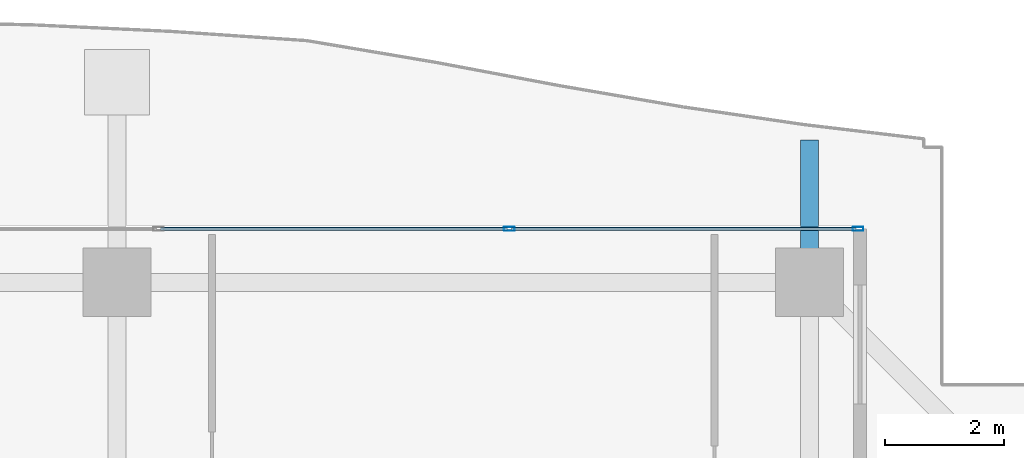
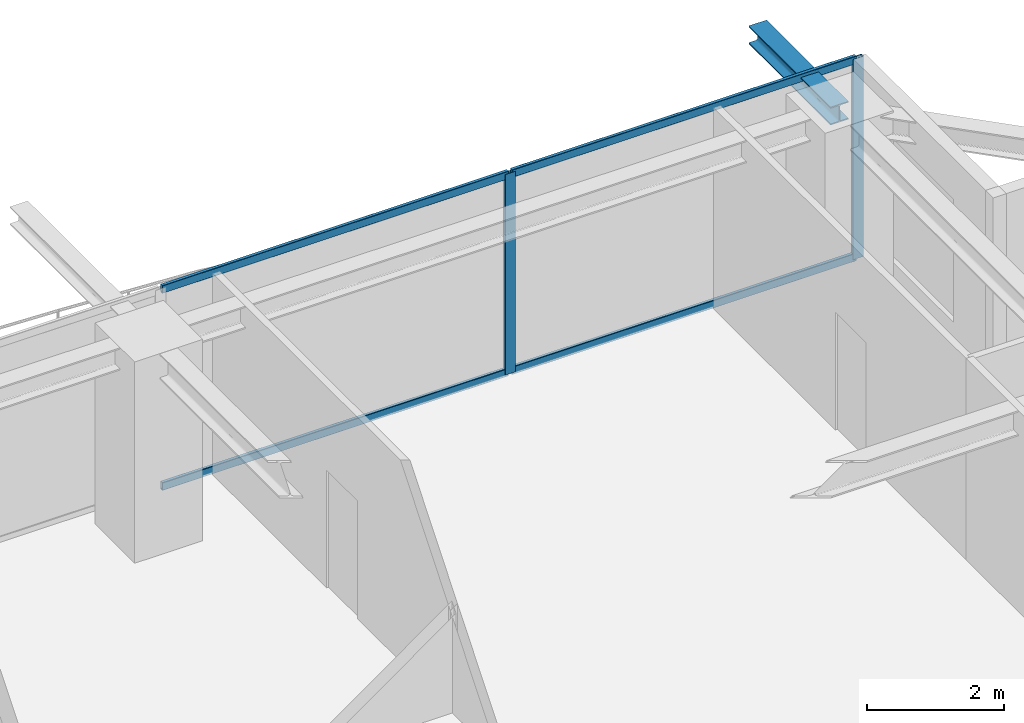
# One storey, part 24 of 37: 6 members, 1 beam, 1 element without a shape of its own.
"""IFC4 building model written with IfcOpenShell, lengths in metres."""

import ifcopenshell
import ifcopenshell.guid

model = None  # the IFC model being written
_history = None  # IfcOwnerHistory: only IFC2X3 demands one
_inside = {}  # id of a spatial element -> (the spatial element, [elements in it])
_under = {}  # id of a project, library or spatial element -> (it, [spatial elements below it])
_declared = {}  # id of a project -> (the project, [libraries it declares])
_typed = {}  # id of a type object -> (the type object, [elements of that type])
_made_of = {}  # id of a material, layer set ... -> (it, [elements and type objects made of it])


def new_model(schema):
    """Start an empty IFC model of exactly this schema.

    Asked for "IFC4X3", IfcOpenShell would pick the latest addendum, in which some entities
    have other attributes; the version numbers below select the first issue.
    IFC2X3 requires an IfcOwnerHistory on every rooted entity: one is made here for all.
    """
    global model, _history
    if schema == "IFC4X3":
        model = ifcopenshell.file(schema_version=(4, 3, 0, 0))
    else:
        model = ifcopenshell.file(schema=schema)
    _inside.clear()
    _under.clear()
    _declared.clear()
    _typed.clear()
    _made_of.clear()
    _history = None
    if model.schema == "IFC2X3":
        org = make("IfcOrganization", Name="unknown")
        user = make(
            "IfcPersonAndOrganization",
            ThePerson=make("IfcPerson", FamilyName="unknown"),
            TheOrganization=org,
        )
        app = make(
            "IfcApplication",
            ApplicationDeveloper=org,
            Version="unknown",
            ApplicationFullName="unknown",
            ApplicationIdentifier="unknown",
        )
        _history = make(
            "IfcOwnerHistory",
            OwningUser=user,
            OwningApplication=app,
            ChangeAction="ADDED",
            CreationDate=0,
        )
    return model


def make(cls, **values):
    """One entity of the class cls with the attributes given. An attribute that is None is left unset."""
    return model.create_entity(
        cls, **{name: value for name, value in values.items() if value is not None}
    )


def rooted(cls, **values):
    """An entity with a GlobalId (a new one), such as an element, a storey or a relation."""
    return make(cls, GlobalId=ifcopenshell.guid.new(), OwnerHistory=_history, **values)


def si_unit(unit_type, name, prefix=None):
    """IfcSIUnit, for example si_unit("LENGTHUNIT", "METRE", prefix="MILLI")."""
    return make("IfcSIUnit", UnitType=unit_type, Prefix=prefix, Name=name)


def assignment(units):
    """IfcUnitAssignment: the units of a project."""
    return None if units is None else make("IfcUnitAssignment", Units=units)


def point(xyz):
    """IfcCartesianPoint."""
    return None if xyz is None else make("IfcCartesianPoint", Coordinates=xyz)


def direction(xyz):
    """IfcDirection."""
    return None if xyz is None else make("IfcDirection", DirectionRatios=xyz)


def frame(location, z_axis=None, x_axis=None):
    """IfcAxis2Placement3D, a coordinate frame: its origin and axes. An axis left out is left unset."""
    return make(
        "IfcAxis2Placement3D",
        Location=point(location),
        Axis=direction(z_axis),
        RefDirection=direction(x_axis),
    )


def frame_2d(location, x_axis=None):
    """IfcAxis2Placement2D, a coordinate frame in the plane: its origin and x axis."""
    return make(
        "IfcAxis2Placement2D", Location=point(location), RefDirection=direction(x_axis)
    )


def origin():
    """The frame at (0, 0, 0) with its axes left unset."""
    return frame((0.0, 0.0, 0.0))


def origin_2d():
    """The frame at (0, 0) in the plane with its x axis left unset."""
    return frame_2d((0.0, 0.0))


def place(relative_to, where):
    """IfcLocalPlacement: puts the frame where relative to a parent placement (None: the world)."""
    return make(
        "IfcLocalPlacement", PlacementRelTo=relative_to, RelativePlacement=where
    )


def context(
    kind, dimensions, precision=None, world=None, true_north=None, identifier=None
):
    """IfcGeometricRepresentationContext, for example the 3D "Model" context."""
    return make(
        "IfcGeometricRepresentationContext",
        ContextIdentifier=identifier,
        ContextType=kind,
        CoordinateSpaceDimension=dimensions,
        Precision=precision,
        WorldCoordinateSystem=world,
        TrueNorth=true_north,
    )


def subcontext(parent, identifier, kind, view, scale=None):
    """IfcGeometricRepresentationSubContext, for example "Body" below "Model"."""
    return make(
        "IfcGeometricRepresentationSubContext",
        ContextIdentifier=identifier,
        ContextType=kind,
        ParentContext=parent,
        TargetScale=scale,
        TargetView=view,
    )


def project(units=None, contexts=None):
    """IfcProject with its units and contexts."""
    return rooted(
        "IfcProject",
        Name="project",
        RepresentationContexts=contexts,
        UnitsInContext=assignment(units),
    )


def spatial(cls, under=None, at=None, **own):
    """A site, building, storey or space (cls), placed at a placement, below another one or the project."""
    s = rooted(cls, ObjectPlacement=at, **own)
    if under is not None:
        _under.setdefault(under.id(), (under, []))[1].append(s)
    return s


def profile(cls, at=None, kind="AREA", **sizes):
    """A parametric profile (cls). Its sizes go by their IFC names, for example OverallWidth=200.0."""
    return make(cls, ProfileType=kind, Position=at, **sizes)


def hollow_rectangle(**sizes):
    """IfcRectangleHollowProfileDef."""
    return profile("IfcRectangleHollowProfileDef", **sizes)


def i_section(**sizes):
    """IfcIShapeProfileDef."""
    return profile("IfcIShapeProfileDef", **sizes)


def extrude(swept, where, along, depth):
    """IfcExtrudedAreaSolid: the profile swept, set in the frame where, extruded along a direction by depth."""
    return make(
        "IfcExtrudedAreaSolid",
        SweptArea=swept,
        Position=where,
        ExtrudedDirection=direction(along),
        Depth=depth,
    )


def shape(context_of_items, identifier, shape_type, items):
    """IfcShapeRepresentation: the items that make up one representation, for example the "Body"."""
    return make(
        "IfcShapeRepresentation",
        ContextOfItems=context_of_items,
        RepresentationIdentifier=identifier,
        RepresentationType=shape_type,
        Items=items,
    )


def source(mapping_origin, context_of_items, identifier, shape_type, items):
    """IfcRepresentationMap: a shape defined once, which mapped items show again and again."""
    return make(
        "IfcRepresentationMap",
        MappingOrigin=mapping_origin,
        MappedRepresentation=shape(context_of_items, identifier, shape_type, items),
    )


def transform(
    local_origin,
    x_axis=None,
    y_axis=None,
    z_axis=None,
    scale=None,
    scale2=None,
    scale3=None,
    uniform=True,
):
    """IfcCartesianTransformationOperator3D, or its non-uniform kind. x_axis, y_axis, z_axis: its Axis1, 2, 3."""
    if uniform:
        return make(
            "IfcCartesianTransformationOperator3D",
            Axis1=direction(x_axis),
            Axis2=direction(y_axis),
            LocalOrigin=point(local_origin),
            Scale=scale,
            Axis3=direction(z_axis),
        )
    return make(
        "IfcCartesianTransformationOperator3DnonUniform",
        Axis1=direction(x_axis),
        Axis2=direction(y_axis),
        LocalOrigin=point(local_origin),
        Scale=scale,
        Axis3=direction(z_axis),
        Scale2=scale2,
        Scale3=scale3,
    )


def mapped(mapping_source, mapping_target):
    """IfcMappedItem: shows the shape of a source again, moved by a transform."""
    return make(
        "IfcMappedItem", MappingSource=mapping_source, MappingTarget=mapping_target
    )


def material(Name=None, Category=None):
    """IfcMaterial."""
    return make("IfcMaterial", Name=Name, Category=Category)


def layer(
    of_material, thickness, ventilated=None, Name=None, Category=None, Priority=None
):
    """IfcMaterialLayer: one layer of a wall or slab, of a material (None: an air gap)."""
    return make(
        "IfcMaterialLayer",
        Material=of_material,
        LayerThickness=thickness,
        IsVentilated=ventilated,
        Name=Name,
        Category=Category,
        Priority=Priority,
    )


def layer_set(layers, Name=None):
    """IfcMaterialLayerSet."""
    return make("IfcMaterialLayerSet", MaterialLayers=layers, LayerSetName=Name)


def material_profile(
    of_material, cross_section, Name=None, Category=None, Priority=None
):
    """IfcMaterialProfile: a cross section and its material."""
    return make(
        "IfcMaterialProfile",
        Name=Name,
        Material=of_material,
        Profile=cross_section,
        Priority=Priority,
        Category=Category,
    )


def profile_set(profiles, Name=None, composite=None):
    """IfcMaterialProfileSet."""
    return make(
        "IfcMaterialProfileSet",
        Name=Name,
        MaterialProfiles=profiles,
        CompositeProfile=composite,
    )


def made_of(thing, what):
    """Note that an element or type object is made of a material, layer set ...; save() writes the relation."""
    if what is not None:
        _made_of.setdefault(what.id(), (what, []))[1].append(thing)
    return thing


def type_object(cls, material=None, **own):
    """A type object (cls), such as IfcWallType, which elements share."""
    return made_of(rooted(cls, **own), material)


def element(
    cls,
    number,
    at=None,
    inside=None,
    cuts=None,
    type_object=None,
    material=None,
    context=None,
    identifier="Body",
    shape_type=None,
    held_by="IfcProductDefinitionShape",
    body=None,
    shapes=None,
    **own,
):
    """One element of the class cls, such as IfcWall. Its Tag is "e" and its number.

    at: its placement. inside: the storey or other place that contains it. cuts: it is an
    opening in that element (IfcRelVoidsElement). A single representation is given by context,
    identifier, shape_type and body (its items); several are given by shapes. held_by: the class
    of the entity that holds the representations. save() writes the other relations.
    """
    e = rooted(cls, Tag="e%d" % number, ObjectPlacement=at, **own)
    if body is not None:
        shapes = [shape(context, identifier, shape_type, body)]
    if shapes is not None:
        e.Representation = make(held_by, Representations=shapes)
    if inside is not None:
        _inside.setdefault(inside.id(), (inside, []))[1].append(e)
    if cuts is not None:
        rooted(
            "IfcRelVoidsElement", RelatingBuildingElement=cuts, RelatedOpeningElement=e
        )
    if type_object is not None:
        _typed.setdefault(type_object.id(), (type_object, []))[1].append(e)
    return made_of(e, material)


def aggregate(whole, parts):
    """IfcRelAggregates: a whole, such as a stair, and the parts it consists of."""
    return rooted("IfcRelAggregates", RelatingObject=whole, RelatedObjects=parts)


def save(model, path):
    """Write the relations noted so far, then the file.

    IfcRelAggregates (storeys below a building ...), IfcRelContainedInSpatialStructure (elements
    in a storey), IfcRelDefinesByType, IfcRelAssociatesMaterial and IfcRelDeclares: one each for
    every whole, place, type object, material and project.
    """
    for whole, parts in _under.values():
        aggregate(whole, parts)
    for where, things in _inside.values():
        rooted(
            "IfcRelContainedInSpatialStructure",
            RelatedElements=things,
            RelatingStructure=where,
        )
    for kind, things in _typed.values():
        rooted("IfcRelDefinesByType", RelatedObjects=things, RelatingType=kind)
    for what, things in _made_of.values():
        rooted("IfcRelAssociatesMaterial", RelatedObjects=things, RelatingMaterial=what)
    for by, libraries in _declared.values():
        rooted("IfcRelDeclares", RelatingContext=by, RelatedDefinitions=libraries)
    model.write(path)


model = new_model("IFC4")

# Units and contexts
model_context = context("Model", 3, precision=1e-05, world=origin(), true_north=direction((0.0, 1.0)))
body_context = subcontext(model_context, "Body", "Model", "MODEL_VIEW")
ifc_project = project(units=[si_unit("LENGTHUNIT", "METRE"), si_unit("AREAUNIT", "SQUARE_METRE"), si_unit("VOLUMEUNIT", "CUBIC_METRE"), si_unit("PLANEANGLEUNIT", "RADIAN"), si_unit("MASSUNIT", "GRAM", prefix="KILO")], contexts=[model_context])

# Site, building, storey
site_placement = place(None, origin())
site = spatial("IfcSite", under=ifc_project, at=site_placement, CompositionType="ELEMENT")
building_placement = place(site_placement, origin())
building = spatial("IfcBuilding", under=site, at=building_placement, Name="Serunith Strait Residences", CompositionType="ELEMENT")
storey_placement = place(building_placement, frame((0.0, 0.0, 233.550048828125)))
storey = spatial("IfcBuildingStorey", under=building, at=storey_placement, Name="L58", CompositionType="ELEMENT", Elevation=233.550048828125)

# Beam
ifc_material_1 = material(Name="Steel S355J2", Category="steel")
ifc_material_profile_1 = material_profile(ifc_material_1, i_section(OverallWidth=0.300048828125, OverallDepth=0.320068359375, WebThickness=0.011474609375, FlangeThickness=0.0205078125, FilletRadius=0.027099609375, at=origin_2d()), Name="HEB 320")
ifc_profile_set_1 = profile_set([ifc_material_profile_1], Name="Steel S355J2")
beam_type = type_object("IfcBeamType", Name="BM-HEB320", PredefinedType="BEAM", material=ifc_profile_set_1)
shared_shape_1 = source(origin(), body_context, "Body", "SweptSolid", [
    extrude(i_section(OverallWidth=0.300048828125, OverallDepth=0.320068359375, WebThickness=0.011474609375, FlangeThickness=0.0205078125, FilletRadius=0.027099609375, at=origin_2d()), origin(), (0.0, 0.0, 1.0), 2.39306640625),
])
beam_placement = place(storey_placement, frame((48.550048828125, 48.300048828125, 3.39697265625), z_axis=(0.0, 1.0, 0.0), x_axis=(-1.0, 0.0, 0.0)))
element("IfcBeam", 1, at=beam_placement, inside=storey, type_object=beam_type, Name="L59 Cantilevered Balcony Rib TC-N4", PredefinedType="BEAM", context=body_context, shape_type="MappedRepresentation", body=[
    mapped(shared_shape_1, transform((0.0, 0.0, 0.0), scale=1.0)),
])

# Curtain wall, members
ifc_material_2 = material(Name="Pale-Champagne Anodised Aluminium", Category="aluminium")
ifc_layer = layer(ifc_material_2, 0.199951171875, Name="Pale-Champagne Anodised Aluminium")
ifc_layer_set = layer_set([ifc_layer], Name="Pale-Champagne Anodised Aluminium")
curtain_wall_type = type_object("IfcCurtainWallType", Name="CW-SYS4", PredefinedType="NOTDEFINED", material=ifc_layer_set)
curtain_wall_placement = place(storey_placement, origin())
curtain_wall = element("IfcCurtainWall", 2, at=curtain_wall_placement, inside=storey, type_object=curtain_wall_type, Name="L58 N Unitised Fritted Curtain Wall", PredefinedType="NOTDEFINED")
ifc_material_profile_2 = material_profile(ifc_material_2, hollow_rectangle(XDim=0.06494140625, YDim=0.179931640625, WallThickness=0.00341796875, InnerFilletRadius=0.00537109375, OuterFilletRadius=0.0087890625, at=origin_2d()), Name="ALU 180x65x3.5")
ifc_profile_set_2 = profile_set([ifc_material_profile_2], Name="Pale-Champagne Anodised Aluminium")
member_type_1 = type_object("IfcMemberType", Name="CW-SYS4-MULL", PredefinedType="MULLION", material=ifc_profile_set_2)
shared_shape_2 = source(origin(), body_context, "Body", "SweptSolid", [
    extrude(hollow_rectangle(XDim=0.06494140625, YDim=0.179931640625, WallThickness=0.00341796875, InnerFilletRadius=0.00537109375, OuterFilletRadius=0.0087890625, at=origin_2d()), origin(), (0.0, 0.0, 1.0), 3.574951171875),
])
member_1_placement = place(storey_placement, frame((49.367431640625, 49.199951171875, 0.0), z_axis=(0.0, 0.0, 1.0), x_axis=(0.0, -1.0, 0.0)))
member_1 = element("IfcMember", 3, at=member_1_placement, type_object=member_type_1, Name="CW-4 mullion 1", PredefinedType="MULLION", context=body_context, shape_type="MappedRepresentation", body=[
    mapped(shared_shape_2, transform((0.0, 0.0, 0.0), scale=1.0)),
])
member_2_placement = place(storey_placement, frame((43.5, 49.199951171875, 0.0), z_axis=(0.0, 0.0, 1.0), x_axis=(0.0, -1.0, 0.0)))
member_2 = element("IfcMember", 4, at=member_2_placement, type_object=member_type_1, Name="CW-4 mullion 2", PredefinedType="MULLION", context=body_context, shape_type="MappedRepresentation", body=[
    mapped(shared_shape_2, transform((0.0, 0.0, 0.0), scale=1.0)),
])
ifc_material_profile_3 = material_profile(ifc_material_2, hollow_rectangle(XDim=0.06005859375, YDim=0.139892578125, WallThickness=0.00341796875, InnerFilletRadius=0.00537109375, OuterFilletRadius=0.0087890625, at=origin_2d()), Name="ALU 140x60x3.5")
ifc_profile_set_3 = profile_set([ifc_material_profile_3], Name="Pale-Champagne Anodised Aluminium")
member_type_2 = type_object("IfcMemberType", Name="CW-SYS4-TRAN", PredefinedType="USERDEFINED", material=ifc_profile_set_3)
shared_shape_3 = source(origin(), body_context, "Body", "SweptSolid", [
    extrude(hollow_rectangle(XDim=0.06005859375, YDim=0.139892578125, WallThickness=0.00341796875, InnerFilletRadius=0.00537109375, OuterFilletRadius=0.0087890625, at=origin_2d()), origin(), (0.0, 0.0, 1.0), 5.802490234375),
])
member_3_placement = place(storey_placement, frame((49.3349609375, 49.199951171875, 0.030029296875), z_axis=(-1.0, 0.0, 0.0), x_axis=(0.0, -1.0, 0.0)))
member_3 = element("IfcMember", 5, at=member_3_placement, type_object=member_type_2, Name="CW-4 transom 1.1", ObjectType="TRANSOM", PredefinedType="USERDEFINED", context=body_context, shape_type="MappedRepresentation", body=[
    mapped(shared_shape_3, transform((0.0, 0.0, 0.0), scale=1.0)),
])
member_4_placement = place(storey_placement, frame((49.3349609375, 49.199951171875, 3.544921875), z_axis=(-1.0, 0.0, 0.0), x_axis=(0.0, -1.0, 0.0)))
member_4 = element("IfcMember", 6, at=member_4_placement, type_object=member_type_2, Name="CW-4 transom 1.2", ObjectType="TRANSOM", PredefinedType="USERDEFINED", context=body_context, shape_type="MappedRepresentation", body=[
    mapped(shared_shape_3, transform((0.0, 0.0, 0.0), scale=1.0)),
])
shared_shape_4 = source(origin(), body_context, "Body", "SweptSolid", [
    extrude(hollow_rectangle(XDim=0.06005859375, YDim=0.139892578125, WallThickness=0.00341796875, InnerFilletRadius=0.00537109375, OuterFilletRadius=0.0087890625, at=origin_2d()), origin(), (0.0, 0.0, 1.0), 5.8349609375),
])
member_5_placement = place(storey_placement, frame((43.467529296875, 49.199951171875, 0.030029296875), z_axis=(-1.0, 0.0, 0.0), x_axis=(0.0, -1.0, 0.0)))
member_5 = element("IfcMember", 7, at=member_5_placement, type_object=member_type_2, Name="CW-4 transom 2.1", ObjectType="TRANSOM", PredefinedType="USERDEFINED", context=body_context, shape_type="MappedRepresentation", body=[
    mapped(shared_shape_4, transform((0.0, 0.0, 0.0), scale=1.0)),
])
member_6_placement = place(storey_placement, frame((43.467529296875, 49.199951171875, 3.544921875), z_axis=(-1.0, 0.0, 0.0), x_axis=(0.0, -1.0, 0.0)))
member_6 = element("IfcMember", 8, at=member_6_placement, type_object=member_type_2, Name="CW-4 transom 2.2", ObjectType="TRANSOM", PredefinedType="USERDEFINED", context=body_context, shape_type="MappedRepresentation", body=[
    mapped(shared_shape_4, transform((0.0, 0.0, 0.0), scale=1.0)),
])
aggregate(curtain_wall, [member_1, member_2, member_3, member_4, member_5, member_6])

save(model, "model.ifc")
